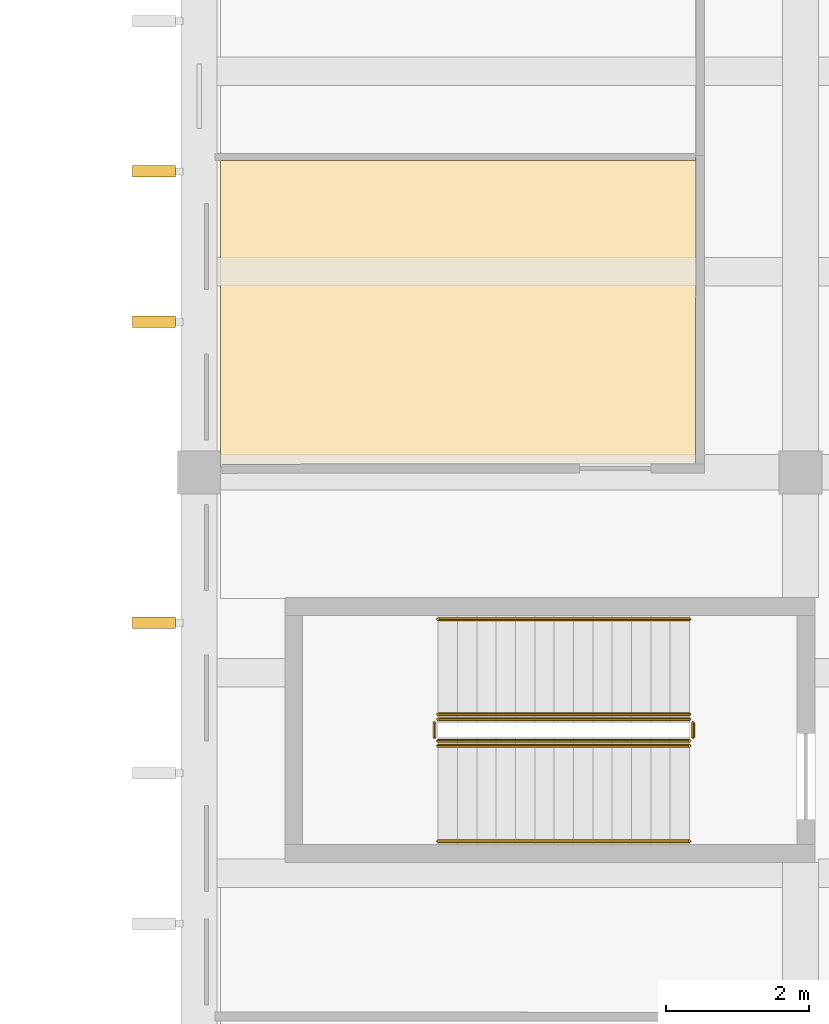
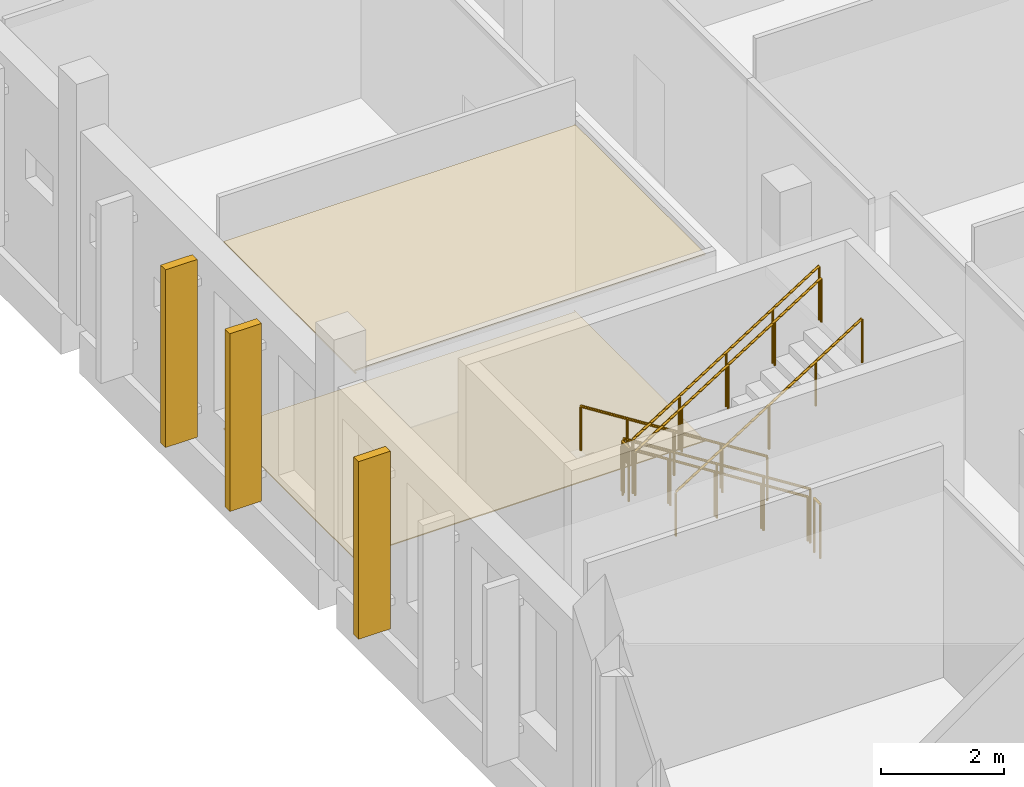
# One storey, part 97 of 119: 8 railings, 5 coverings.
"""IFC4 building model written with IfcOpenShell, lengths in metres."""

from ifc_helpers import new_model, si_unit, direction, frame, origin, origin_2d, place, context, subcontext, project, spatial, polyline, circle, outline, extrude, material, layer, layer_set, type_object, element, save


model = new_model("IFC4")

# Units and contexts
model_context = context("Model", 3, precision=1e-05, world=origin(), true_north=direction((0.0, 1.0)))
body_context = subcontext(model_context, "Body", "Model", "MODEL_VIEW")
ifc_project = project(units=[si_unit("LENGTHUNIT", "METRE"), si_unit("AREAUNIT", "SQUARE_METRE"), si_unit("VOLUMEUNIT", "CUBIC_METRE"), si_unit("PLANEANGLEUNIT", "RADIAN"), si_unit("MASSUNIT", "GRAM", prefix="KILO")], contexts=[model_context])

# Site, building, storey
site_placement = place(None, origin())
site = spatial("IfcSite", under=ifc_project, at=site_placement, CompositionType="ELEMENT")
building_placement = place(site_placement, origin())
building = spatial("IfcBuilding", under=site, at=building_placement, Name="Larchfold Concert Hall", CompositionType="ELEMENT")
storey_placement = place(building_placement, frame((0.0, 0.0, 4.800048828125)))
storey = spatial("IfcBuildingStorey", under=building, at=storey_placement, Name="L01", CompositionType="ELEMENT", Elevation=4.800048828125)

# Coverings
ifc_material_1 = material(Name="Plasterboard ceiling lining")
ifc_layer_1 = layer(ifc_material_1, 0.030029296875)
ifc_layer_set_1 = layer_set([ifc_layer_1], Name="Plasterboard ceiling lining")
covering_type_1 = type_object("IfcCoveringType", Name="Ceiling suspended plasterboard 30", PredefinedType="CEILING", material=ifc_layer_set_1)
covering_1_placement = place(storey_placement, frame((0.0, 0.0, 3.7099609375)))
element("IfcCovering", 1, at=covering_1_placement, inside=storey, type_object=covering_type_1, Name="Ceiling Green Room", PredefinedType="CEILING", context=body_context, shape_type="SweptSolid", body=[
    extrude(outline(polyline([(91.53759765625, 47.0), (91.534912109375, 46.949951171875), (84.900146484375, 46.949951171875), (84.900146484375, 42.650146484375), (84.920166015625, 42.650146484375), (84.920166015625, 42.71142578125), (91.60009765625, 42.716552734375), (91.53662109375, 42.716552734375), (91.53759765625, 47.0)])), origin(), (0.0, 0.0, 1.0), 0.030029296875),
])
ifc_material_2 = material(Name="Linoleum sheet")
ifc_layer_2 = layer(ifc_material_2, 0.02001953125)
ifc_layer_set_2 = layer_set([ifc_layer_2], Name="Linoleum sheet")
covering_type_2 = type_object("IfcCoveringType", Name="Floor finish vinyl 20", PredefinedType="FLOORING", material=ifc_layer_set_2)
covering_2_placement = place(storey_placement, origin())
element("IfcCovering", 2, at=covering_2_placement, inside=storey, type_object=covering_type_2, Name="Floor finish Green Room", PredefinedType="FLOORING", context=body_context, shape_type="SweptSolid", body=[
    extrude(outline(polyline([(91.53759765625, 47.0), (91.534912109375, 46.949951171875), (84.900146484375, 46.949951171875), (84.900146484375, 42.650146484375), (84.920166015625, 42.650146484375), (84.920166015625, 42.71142578125), (91.60009765625, 42.716552734375), (91.53662109375, 42.716552734375), (91.53759765625, 47.0)])), origin(), (0.0, 0.0, 1.0), 0.02001953125),
])
ifc_material_3 = material(Name="Glulam GL30c", Category="wood")
ifc_layer_3 = layer(ifc_material_3, 0.159912109375)
ifc_layer_set_3 = layer_set([ifc_layer_3], Name="Glulam GL30c")
covering_type_3 = type_object("IfcCoveringType", Name="Glulam fin 160x600", PredefinedType="CLADDING", material=ifc_layer_set_3)
covering_3_placement = place(storey_placement, frame((0.0, 0.0, 0.199951171875)))
element("IfcCovering", 3, at=covering_3_placement, inside=storey, type_object=covering_type_3, Name="Glulam fin FN-L01-054", PredefinedType="CLADDING", context=body_context, shape_type="SweptSolid", body=[
    extrude(outline(polyline([(84.275146484375, 44.6201171875), (84.275146484375, 44.780029296875), (83.675048828125, 44.780029296875), (83.675048828125, 44.6201171875), (84.275146484375, 44.6201171875)])), origin(), (0.0, 0.0, 1.0), 3.5400390625),
])
covering_4_placement = place(storey_placement, frame((0.0, 0.0, 0.199951171875)))
element("IfcCovering", 4, at=covering_4_placement, inside=storey, type_object=covering_type_3, Name="Glulam fin FN-L01-055", PredefinedType="CLADDING", context=body_context, shape_type="SweptSolid", body=[
    extrude(outline(polyline([(84.275146484375, 46.719970703125), (84.275146484375, 46.8798828125), (83.675048828125, 46.8798828125), (83.675048828125, 46.719970703125), (84.275146484375, 46.719970703125)])), origin(), (0.0, 0.0, 1.0), 3.5400390625),
])
covering_5_placement = place(storey_placement, frame((0.0, 0.0, 0.199951171875)))
element("IfcCovering", 5, at=covering_5_placement, inside=storey, type_object=covering_type_3, Name="Glulam fin FN-L01-059", PredefinedType="CLADDING", context=body_context, shape_type="SweptSolid", body=[
    extrude(outline(polyline([(84.275146484375, 40.419921875), (84.275146484375, 40.580078125), (83.675048828125, 40.580078125), (83.675048828125, 40.419921875), (84.275146484375, 40.419921875)])), origin(), (0.0, 0.0, 1.0), 3.5400390625),
])

# Railings
ifc_material_4 = material(Name="Stainless steel balustrade", Category="steel")
railing_type_1 = type_object("IfcRailingType", Name="Stair guard 1100", PredefinedType="GUARDRAIL", material=ifc_material_4)
railing_1_placement = place(storey_placement, frame((91.449951171875, 39.150146484375, 0.17138671875)))
element("IfcRailing", 6, at=railing_1_placement, inside=storey, type_object=railing_type_1, Name="Guard GR0059", PredefinedType="GUARDRAIL", context=body_context, shape_type="SweptSolid", body=[
    extrude(circle(Radius=0.02392578125, at=origin_2d()), frame((0.0, 0.0, 1.076171875), z_axis=(-0.844219563411, 0.0, 0.53599750816), x_axis=(0.0, -1.0, 0.0)), (0.0, 0.0, 1.0), 4.15771484375),
    extrude(circle(Radius=0.02099609375, at=origin_2d()), origin(), (0.0, 0.0, 1.0), 1.052001953125),
    extrude(circle(Radius=0.02099609375, at=origin_2d()), frame((-0.87744140625, 0.0, 0.55712890625)), (0.0, 0.0, 1.0), 1.052001953125),
    extrude(circle(Radius=0.02099609375, at=origin_2d()), frame((-1.7548828125, 0.0, 1.1142578125)), (0.0, 0.0, 1.0), 1.052001953125),
    extrude(circle(Radius=0.02099609375, at=origin_2d()), frame((-2.632568359375, 0.0, 1.67138671875)), (0.0, 0.0, 1.0), 1.052001953125),
    extrude(circle(Radius=0.02099609375, at=origin_2d()), frame((-3.510009765625, 0.0, 2.228515625)), (0.0, 0.0, 1.0), 1.052001953125),
])
railing_2_placement = place(storey_placement, frame((87.889892578125, 39.10009765625, 2.39990234375)))
element("IfcRailing", 7, at=railing_2_placement, inside=storey, type_object=railing_type_1, Name="Guard GR0060", PredefinedType="GUARDRAIL", context=body_context, shape_type="SweptSolid", body=[
    extrude(circle(Radius=0.02392578125, at=origin_2d()), frame((0.0, 0.0, 1.076171875), z_axis=(0.0, -1.0, 0.0), x_axis=(1.0, 0.0, 0.0)), (0.0, 0.0, 1.0), 0.199951171875),
    extrude(circle(Radius=0.02099609375, at=origin_2d()), origin(), (0.0, 0.0, 1.0), 1.052001953125),
    extrude(circle(Radius=0.02099609375, at=origin_2d()), frame((0.0, -0.199951171875, 0.0)), (0.0, 0.0, 1.0), 1.052001953125),
])
railing_3_placement = place(storey_placement, frame((87.93994140625, 38.85009765625, 2.5712890625)))
element("IfcRailing", 8, at=railing_3_placement, inside=storey, type_object=railing_type_1, Name="Guard GR0061", PredefinedType="GUARDRAIL", context=body_context, shape_type="SweptSolid", body=[
    extrude(circle(Radius=0.02392578125, at=origin_2d()), frame((0.0, 0.0, 1.076171875), z_axis=(0.844192992368, 0.0, 0.536039356425), x_axis=(0.0, 1.0, 0.0)), (0.0, 0.0, 1.0), 4.15771484375),
    extrude(circle(Radius=0.02099609375, at=origin_2d()), origin(), (0.0, 0.0, 1.0), 1.052001953125),
    extrude(circle(Radius=0.02099609375, at=origin_2d()), frame((0.87744140625, 0.0, 0.55712890625)), (0.0, 0.0, 1.0), 1.052001953125),
    extrude(circle(Radius=0.02099609375, at=origin_2d()), frame((1.7548828125, 0.0, 1.1142578125)), (0.0, 0.0, 1.0), 1.052001953125),
    extrude(circle(Radius=0.02099609375, at=origin_2d()), frame((2.632568359375, 0.0, 1.671630859375)), (0.0, 0.0, 1.0), 1.052001953125),
    extrude(circle(Radius=0.02099609375, at=origin_2d()), frame((3.510009765625, 0.0, 2.228759765625)), (0.0, 0.0, 1.0), 1.052001953125),
])
railing_4_placement = place(storey_placement, frame((91.5, 39.10009765625, 0.0)))
element("IfcRailing", 9, at=railing_4_placement, inside=storey, type_object=railing_type_1, Name="Guard GR0062", PredefinedType="GUARDRAIL", context=body_context, shape_type="SweptSolid", body=[
    extrude(circle(Radius=0.02392578125, at=origin_2d()), frame((0.0, 0.0, 1.076171875), z_axis=(0.0, -1.0, 0.0), x_axis=(1.0, 0.0, 0.0)), (0.0, 0.0, 1.0), 0.199951171875),
    extrude(circle(Radius=0.02099609375, at=origin_2d()), origin(), (0.0, 0.0, 1.0), 1.052001953125),
    extrude(circle(Radius=0.02099609375, at=origin_2d()), frame((0.0, -0.199951171875, 0.0)), (0.0, 0.0, 1.0), 1.052001953125),
])
ifc_material_5 = material(Name="Stainless steel handrail", Category="steel")
railing_type_2 = type_object("IfcRailingType", Name="Stair handrail 900", PredefinedType="HANDRAIL", material=ifc_material_5)
railing_5_placement = place(storey_placement, frame((91.449951171875, 40.550048828125, 0.17138671875)))
element("IfcRailing", 10, at=railing_5_placement, inside=storey, type_object=railing_type_2, Name="Handrail HR0057", PredefinedType="HANDRAIL", context=body_context, shape_type="SweptSolid", body=[
    extrude(circle(Radius=0.02392578125, at=origin_2d()), frame((0.0, 0.0, 0.8759765625), z_axis=(-0.844219563411, 0.0, 0.53599750816), x_axis=(0.0, -1.0, 0.0)), (0.0, 0.0, 1.0), 4.15771484375),
    extrude(circle(Radius=0.02099609375, at=origin_2d()), origin(), (0.0, 0.0, 1.0), 0.851806640625),
    extrude(circle(Radius=0.02099609375, at=origin_2d()), frame((-0.87744140625, 0.0, 0.55712890625)), (0.0, 0.0, 1.0), 0.851806640625),
    extrude(circle(Radius=0.02099609375, at=origin_2d()), frame((-1.7548828125, 0.0, 1.1142578125)), (0.0, 0.0, 1.0), 0.851806640625),
    extrude(circle(Radius=0.02099609375, at=origin_2d()), frame((-2.632568359375, 0.0, 1.67138671875)), (0.0, 0.0, 1.0), 0.851806640625),
    extrude(circle(Radius=0.02099609375, at=origin_2d()), frame((-3.510009765625, 0.0, 2.228515625)), (0.0, 0.0, 1.0), 0.851806640625),
])
railing_6_placement = place(storey_placement, frame((87.93994140625, 37.4501953125, 2.5712890625)))
element("IfcRailing", 11, at=railing_6_placement, inside=storey, type_object=railing_type_2, Name="Handrail HR0058", PredefinedType="HANDRAIL", context=body_context, shape_type="SweptSolid", body=[
    extrude(circle(Radius=0.02392578125, at=origin_2d()), frame((0.0, 0.0, 0.8759765625), z_axis=(0.844192992368, 0.0, 0.536039356425), x_axis=(0.0, 1.0, 0.0)), (0.0, 0.0, 1.0), 4.15771484375),
    extrude(circle(Radius=0.02099609375, at=origin_2d()), origin(), (0.0, 0.0, 1.0), 0.851806640625),
    extrude(circle(Radius=0.02099609375, at=origin_2d()), frame((0.87744140625, 0.0, 0.55712890625)), (0.0, 0.0, 1.0), 0.851806640625),
    extrude(circle(Radius=0.02099609375, at=origin_2d()), frame((1.7548828125, 0.0, 1.1142578125)), (0.0, 0.0, 1.0), 0.851806640625),
    extrude(circle(Radius=0.02099609375, at=origin_2d()), frame((2.632568359375, 0.0, 1.671630859375)), (0.0, 0.0, 1.0), 0.851806640625),
    extrude(circle(Radius=0.02099609375, at=origin_2d()), frame((3.510009765625, 0.0, 2.228759765625)), (0.0, 0.0, 1.0), 0.851806640625),
])
railing_7_placement = place(storey_placement, frame((91.449951171875, 39.22021484375, 0.17138671875)))
element("IfcRailing", 12, at=railing_7_placement, inside=storey, type_object=railing_type_2, Name="Handrail HR0059", PredefinedType="HANDRAIL", context=body_context, shape_type="SweptSolid", body=[
    extrude(circle(Radius=0.02392578125, at=origin_2d()), frame((0.0, 0.0, 0.8759765625), z_axis=(-0.844219563411, 0.0, 0.53599750816), x_axis=(0.0, -1.0, 0.0)), (0.0, 0.0, 1.0), 4.15771484375),
    extrude(circle(Radius=0.02099609375, at=origin_2d()), origin(), (0.0, 0.0, 1.0), 0.851806640625),
    extrude(circle(Radius=0.02099609375, at=origin_2d()), frame((-0.87744140625, 0.0, 0.55712890625)), (0.0, 0.0, 1.0), 0.851806640625),
    extrude(circle(Radius=0.02099609375, at=origin_2d()), frame((-1.7548828125, 0.0, 1.1142578125)), (0.0, 0.0, 1.0), 0.851806640625),
    extrude(circle(Radius=0.02099609375, at=origin_2d()), frame((-2.632568359375, 0.0, 1.67138671875)), (0.0, 0.0, 1.0), 0.851806640625),
    extrude(circle(Radius=0.02099609375, at=origin_2d()), frame((-3.510009765625, 0.0, 2.228515625)), (0.0, 0.0, 1.0), 0.851806640625),
])
railing_8_placement = place(storey_placement, frame((87.93994140625, 38.780029296875, 2.5712890625)))
element("IfcRailing", 13, at=railing_8_placement, inside=storey, type_object=railing_type_2, Name="Handrail HR0060", PredefinedType="HANDRAIL", context=body_context, shape_type="SweptSolid", body=[
    extrude(circle(Radius=0.02392578125, at=origin_2d()), frame((0.0, 0.0, 0.8759765625), z_axis=(0.844192992368, 0.0, 0.536039356425), x_axis=(0.0, 1.0, 0.0)), (0.0, 0.0, 1.0), 4.15771484375),
    extrude(circle(Radius=0.02099609375, at=origin_2d()), origin(), (0.0, 0.0, 1.0), 0.851806640625),
    extrude(circle(Radius=0.02099609375, at=origin_2d()), frame((0.87744140625, 0.0, 0.55712890625)), (0.0, 0.0, 1.0), 0.851806640625),
    extrude(circle(Radius=0.02099609375, at=origin_2d()), frame((1.7548828125, 0.0, 1.1142578125)), (0.0, 0.0, 1.0), 0.851806640625),
    extrude(circle(Radius=0.02099609375, at=origin_2d()), frame((2.632568359375, 0.0, 1.671630859375)), (0.0, 0.0, 1.0), 0.851806640625),
    extrude(circle(Radius=0.02099609375, at=origin_2d()), frame((3.510009765625, 0.0, 2.228759765625)), (0.0, 0.0, 1.0), 0.851806640625),
])

save(model, "model.ifc")
